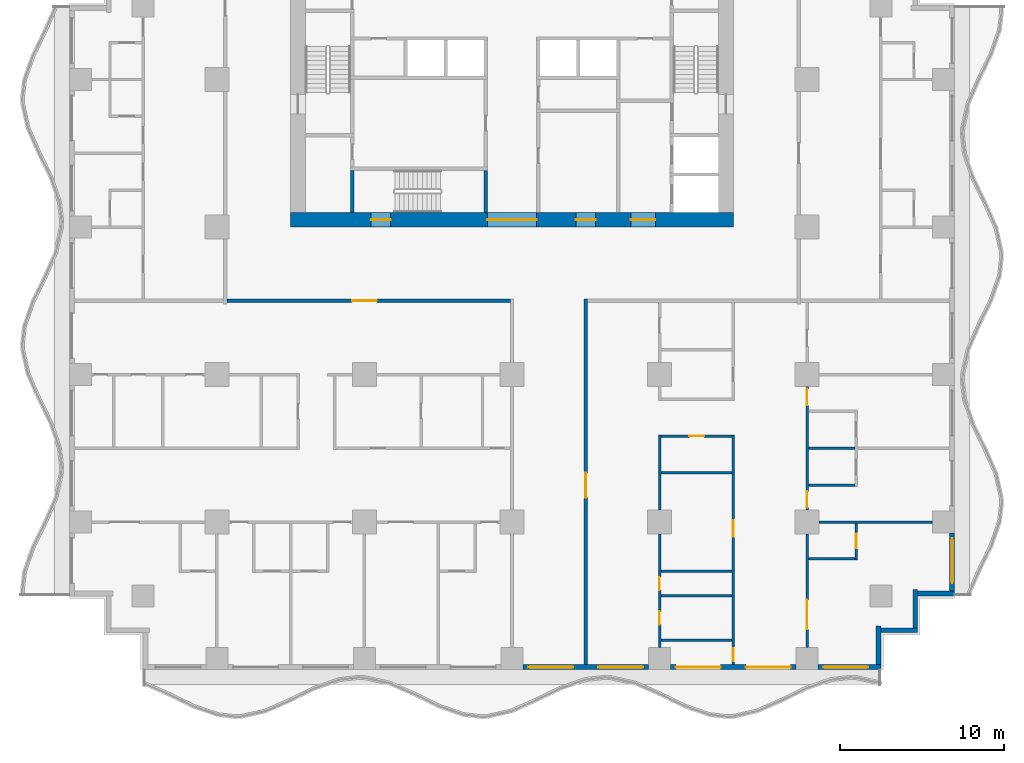
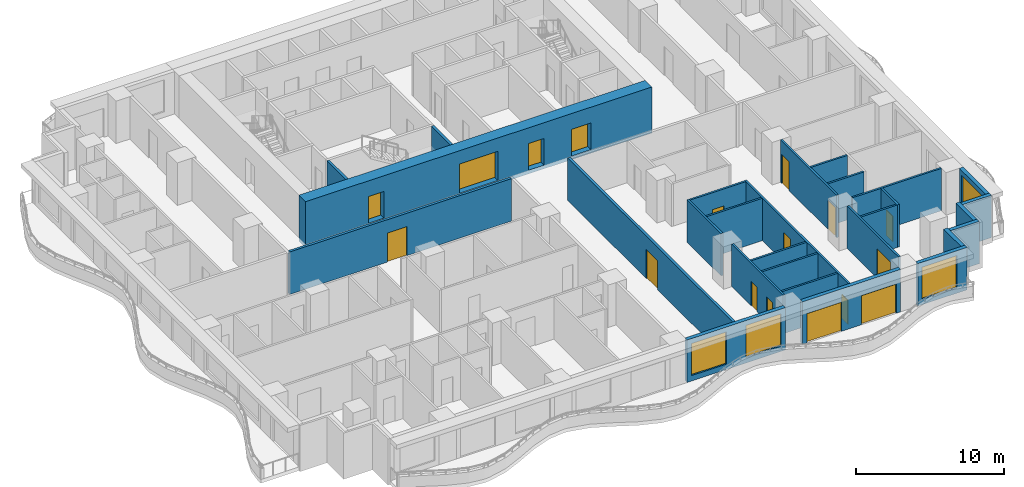
# One storey, part 3 of 14: 28 walls, 17 doors, 4 windows, 21 openings.
"""IFC4 building model written with IfcOpenShell, lengths in metres."""

from ifc_helpers import new_model, si_unit, direction, frame, frame_2d, origin, place, context, subcontext, project, spatial, rectangle, extrude, material, layer, layer_set, type_object, element, fill, save


model = new_model("IFC4")

# Units and contexts
model_context = context("Model", 3, precision=1e-05, world=origin(), true_north=direction((0.0, 1.0)))
body_context = subcontext(model_context, "Body", "Model", "MODEL_VIEW")
ifc_project = project(units=[si_unit("LENGTHUNIT", "METRE"), si_unit("AREAUNIT", "SQUARE_METRE"), si_unit("VOLUMEUNIT", "CUBIC_METRE"), si_unit("PLANEANGLEUNIT", "RADIAN"), si_unit("MASSUNIT", "GRAM", prefix="KILO")], contexts=[model_context])

# Site, building, storey
site_placement = place(None, origin())
site = spatial("IfcSite", under=ifc_project, at=site_placement, CompositionType="ELEMENT")
building_placement = place(site_placement, origin())
building = spatial("IfcBuilding", under=site, at=building_placement, Name="Orbiselva Terraces", CompositionType="ELEMENT")
storey_placement = place(building_placement, frame((0.0, 0.0, 73.2)))
storey = spatial("IfcBuildingStorey", under=building, at=storey_placement, Name="L18", CompositionType="ELEMENT", Elevation=73.2)

# Wall, openings, doors
ifc_material_1 = material(Name="Concrete C80/95", Category="concrete")
ifc_layer_1 = layer(ifc_material_1, 0.9)
ifc_layer_set_1 = layer_set([ifc_layer_1], Name="Concrete C80/95")
wall_type_1 = type_object("IfcWallType", Name="CORE WALL 900", PredefinedType="SHEAR", material=ifc_layer_set_1)
wall_1_placement = place(storey_placement, frame((-13.5, 4.95, -0.3), z_axis=(0.0, 0.0, 1.0), x_axis=(1.0, 0.0, 0.0)))
wall_1 = element("IfcWall", 1, at=wall_1_placement, inside=storey, type_object=wall_type_1, Name="Core wall L18 south", PredefinedType="SHEAR", context=body_context, shape_type="SweptSolid", body=[
    extrude(rectangle(XDim=27.0, YDim=0.9, at=frame_2d((13.5, 0.0))), origin(), (0.0, 0.0, 1.0), 3.8),
])
opening_1_placement = place(wall_1_placement, frame((12.0, 0.0, 0.3)))
opening_1 = element("IfcOpeningElement", 2, at=opening_1_placement, cuts=wall_1, Name="Opening DL3000", PredefinedType="OPENING", context=body_context, shape_type="SweptSolid", body=[
    extrude(rectangle(XDim=3.0, YDim=2.4, at=frame_2d((1.5, 1.2))), frame((0.0, 0.46, 0.0), z_axis=(0.0, -1.0, 0.0), x_axis=(1.0, 0.0, 0.0)), (0.0, 0.0, 1.0), 0.92),
])
opening_2_placement = place(wall_1_placement, frame((4.9, 0.0, 0.3)))
opening_2 = element("IfcOpeningElement", 3, at=opening_2_placement, cuts=wall_1, Name="Opening DS1200", PredefinedType="OPENING", context=body_context, shape_type="SweptSolid", body=[
    extrude(rectangle(XDim=1.2, YDim=2.2, at=frame_2d((0.6, 1.1))), frame((0.0, 0.46, 0.0), z_axis=(0.0, -1.0, 0.0), x_axis=(1.0, 0.0, 0.0)), (0.0, 0.0, 1.0), 0.92),
])
opening_3_placement = place(wall_1_placement, frame((20.75, 0.0, 0.3)))
opening_3 = element("IfcOpeningElement", 4, at=opening_3_placement, cuts=wall_1, Name="Opening DF1500", PredefinedType="OPENING", context=body_context, shape_type="SweptSolid", body=[
    extrude(rectangle(XDim=1.5, YDim=2.2, at=frame_2d((0.75, 1.1))), frame((0.0, 0.46, 0.0), z_axis=(0.0, -1.0, 0.0), x_axis=(1.0, 0.0, 0.0)), (0.0, 0.0, 1.0), 0.92),
])
opening_4_placement = place(wall_1_placement, frame((17.4, 0.0, 0.3)))
opening_4 = element("IfcOpeningElement", 5, at=opening_4_placement, cuts=wall_1, Name="Opening DV1200", PredefinedType="OPENING", context=body_context, shape_type="SweptSolid", body=[
    extrude(rectangle(XDim=1.2, YDim=2.2, at=frame_2d((0.6, 1.1))), frame((0.0, 0.46, 0.0), z_axis=(0.0, -1.0, 0.0), x_axis=(1.0, 0.0, 0.0)), (0.0, 0.0, 1.0), 0.92),
])
ifc_material_2 = material(Name="Steel fire door", Category="steel")
door_type_1 = type_object("IfcDoorType", Name="FFL DOOR 1500", OperationType="DOUBLE_DOOR_SINGLE_SWING", PredefinedType="DOOR", material=ifc_material_2)
door_1_placement = place(opening_3_placement, frame((1.5, 0.0, 0.0), z_axis=(0.0, 0.0, 1.0), x_axis=(-1.0, 0.0, 0.0)))
door_1 = element("IfcDoor", 6, at=door_1_placement, inside=storey, type_object=door_type_1, Name="L18 FIRE-FIGHTING LOBBY door", OperationType="DOUBLE_DOOR_SINGLE_SWING", OverallHeight=2.2, OverallWidth=1.5, PredefinedType="DOOR", context=body_context, shape_type="SweptSolid", body=[
    extrude(rectangle(XDim=1.5, YDim=2.2, at=frame_2d((0.75, 1.1))), frame((0.0, 0.025, 0.0), z_axis=(0.0, -1.0, 0.0), x_axis=(1.0, 0.0, 0.0)), (0.0, 0.0, 1.0), 0.05),
])
fill(opening_3, door_1)
door_type_2 = type_object("IfcDoorType", Name="LOBBY DOOR 3000", OperationType="DOUBLE_DOOR_SINGLE_SWING", PredefinedType="DOOR", material=ifc_material_2)
door_2_placement = place(opening_1_placement, frame((3.0, 0.0, 0.0), z_axis=(0.0, 0.0, 1.0), x_axis=(-1.0, 0.0, 0.0)))
door_2 = element("IfcDoor", 7, at=door_2_placement, inside=storey, type_object=door_type_2, Name="L18 LIFT LOBBY door", OperationType="DOUBLE_DOOR_SINGLE_SWING", OverallHeight=2.4, OverallWidth=3.0, PredefinedType="DOOR", context=body_context, shape_type="SweptSolid", body=[
    extrude(rectangle(XDim=3.0, YDim=2.4, at=frame_2d((1.5, 1.2))), frame((0.0, 0.025, 0.0), z_axis=(0.0, -1.0, 0.0), x_axis=(1.0, 0.0, 0.0)), (0.0, 0.0, 1.0), 0.05),
])
fill(opening_1, door_2)
door_type_3 = type_object("IfcDoorType", Name="SERVICE DOOR 1200", OperationType="NOTDEFINED", PredefinedType="DOOR", material=ifc_material_2)
door_3_placement = place(opening_4_placement, frame((1.2, 0.0, 0.0), z_axis=(0.0, 0.0, 1.0), x_axis=(-1.0, 0.0, 0.0)))
door_3 = element("IfcDoor", 8, at=door_3_placement, inside=storey, type_object=door_type_3, Name="L18 SERVICE ROOM door", OperationType="SINGLE_SWING_RIGHT", OverallHeight=2.2, OverallWidth=1.2, PredefinedType="DOOR", context=body_context, shape_type="SweptSolid", body=[
    extrude(rectangle(XDim=1.2, YDim=2.2, at=frame_2d((0.6, 1.1))), frame((0.0, 0.025, 0.0), z_axis=(0.0, -1.0, 0.0), x_axis=(1.0, 0.0, 0.0)), (0.0, 0.0, 1.0), 0.05),
])
fill(opening_4, door_3)
door_type_4 = type_object("IfcDoorType", Name="STAIR DOOR 1200", OperationType="NOTDEFINED", PredefinedType="DOOR", material=ifc_material_2)
door_4_placement = place(opening_2_placement, frame((1.2, 0.0, 0.0), z_axis=(0.0, 0.0, 1.0), x_axis=(-1.0, 0.0, 0.0)))
door_4 = element("IfcDoor", 9, at=door_4_placement, inside=storey, type_object=door_type_4, Name="L18 EXIT STAIR S3 door", OperationType="SINGLE_SWING_LEFT", OverallHeight=2.2, OverallWidth=1.2, PredefinedType="DOOR", context=body_context, shape_type="SweptSolid", body=[
    extrude(rectangle(XDim=1.2, YDim=2.2, at=frame_2d((0.6, 1.1))), frame((0.0, 0.025, 0.0), z_axis=(0.0, -1.0, 0.0), x_axis=(1.0, 0.0, 0.0)), (0.0, 0.0, 1.0), 0.05),
])
fill(opening_2, door_4)

# Walls
ifc_material_3 = material(Name="Concrete C60/75", Category="concrete")
ifc_layer_2 = layer(ifc_material_3, 0.2)
ifc_layer_set_2 = layer_set([ifc_layer_2], Name="Concrete C60/75")
wall_type_2 = type_object("IfcWallType", Name="CORE-WALL-SHEAR-200", PredefinedType="SHEAR", material=ifc_layer_set_2)
for number, where, z_axis, x_axis, name in (
    (10, (-9.75, 5.4, 0.0), (0.0, 0.0, 1.0), (0.0, 1.0, 0.0), "L18 core wall 03"),
    (11, (-1.6, 5.4, 0.0), (0.0, 0.0, 1.0), (0.0, 1.0, 0.0), "L18 core wall 19"),
):
    element("IfcWall", number, at=place(storey_placement, frame(where, z_axis=z_axis, x_axis=x_axis)), inside=storey, type_object=wall_type_2, Name=name, PredefinedType="SHEAR", context=body_context, shape_type="SweptSolid", body=[
        extrude(rectangle(XDim=2.55, YDim=0.2, at=frame_2d((1.275, 0.0))), origin(), (0.0, 0.0, 1.0), 3.5),
    ])

# Wall, openings, windows
ifc_material_4 = material(Name="Terracotta cladding on masonry backing", Category="masonry")
ifc_layer_3 = layer(ifc_material_4, 0.3)
ifc_layer_set_3 = layer_set([ifc_layer_3], Name="Terracotta cladding on masonry backing")
wall_type_3 = type_object("IfcWallType", Name="ENV-WALL-TERRACOTTA-300", PredefinedType="SOLIDWALL", material=ifc_layer_set_3)
wall_2_placement = place(storey_placement, frame((8.325, -22.35, 0.0), z_axis=(0.0, 0.0, 1.0), x_axis=(-1.0, 0.0, 0.0)))
wall_2 = element("IfcWall", 12, at=wall_2_placement, inside=storey, type_object=wall_type_3, Name="Facade wall L18 S", PredefinedType="SOLIDWALL", context=body_context, shape_type="SweptSolid", body=[
    extrude(rectangle(XDim=7.65, YDim=0.3, at=frame_2d((3.825, 0.0))), origin(), (0.0, 0.0, 1.0), 3.5),
])
opening_5_placement = place(wall_2_placement, frame((4.6, 0.0, 0.45)))
opening_5 = element("IfcOpeningElement", 13, at=opening_5_placement, cuts=wall_2, Name="Opening WN5", PredefinedType="OPENING", context=body_context, shape_type="SweptSolid", body=[
    extrude(rectangle(XDim=2.725, YDim=2.65, at=frame_2d((1.3625, 1.325))), frame((0.0, 0.16, 0.0), z_axis=(0.0, -1.0, 0.0), x_axis=(1.0, 0.0, 0.0)), (0.0, 0.0, 1.0), 0.32),
])
opening_6_placement = place(wall_2_placement, frame((0.325, 0.0, 0.45)))
opening_6 = element("IfcOpeningElement", 14, at=opening_6_placement, cuts=wall_2, Name="Opening WN5", PredefinedType="OPENING", context=body_context, shape_type="SweptSolid", body=[
    extrude(rectangle(XDim=2.725, YDim=2.65, at=frame_2d((1.3625, 1.325))), frame((0.0, 0.16, 0.0), z_axis=(0.0, -1.0, 0.0), x_axis=(1.0, 0.0, 0.0)), (0.0, 0.0, 1.0), 0.32),
])
ifc_material_5 = material(Name="Clear low-e glazing in aluminium frame", Category="aluminium")
window_type = type_object("IfcWindowType", Name="WINDOW 2725 X 2650 S450", PartitioningType="TRIPLE_PANEL_VERTICAL", PredefinedType="WINDOW", material=ifc_material_5)
window_1_placement = place(opening_5_placement, origin())
window_1 = element("IfcWindow", 15, at=window_1_placement, inside=storey, type_object=window_type, Name="Window L18 S", OverallHeight=2.65, OverallWidth=2.725, PartitioningType="SINGLE_PANEL", PredefinedType="WINDOW", context=body_context, shape_type="SweptSolid", body=[
    extrude(rectangle(XDim=2.725, YDim=2.65, at=frame_2d((1.3625, 1.325))), frame((0.0, 0.03, 0.0), z_axis=(0.0, -1.0, 0.0), x_axis=(1.0, 0.0, 0.0)), (0.0, 0.0, 1.0), 0.06),
])
fill(opening_5, window_1)
window_2_placement = place(opening_6_placement, origin())
window_2 = element("IfcWindow", 16, at=window_2_placement, inside=storey, type_object=window_type, Name="Window L18 S", OverallHeight=2.65, OverallWidth=2.725, PartitioningType="SINGLE_PANEL", PredefinedType="WINDOW", context=body_context, shape_type="SweptSolid", body=[
    extrude(rectangle(XDim=2.725, YDim=2.65, at=frame_2d((1.3625, 1.325))), frame((0.0, 0.03, 0.0), z_axis=(0.0, -1.0, 0.0), x_axis=(1.0, 0.0, 0.0)), (0.0, 0.0, 1.0), 0.06),
])
fill(opening_6, window_2)

# Wall, openings, doors
wall_3_placement = place(storey_placement, frame((17.325, -22.35, 0.0), z_axis=(0.0, 0.0, 1.0), x_axis=(-1.0, 0.0, 0.0)))
wall_3 = element("IfcWall", 17, at=wall_3_placement, inside=storey, type_object=wall_type_3, Name="Facade wall L18 S", PredefinedType="SOLIDWALL", context=body_context, shape_type="SweptSolid", body=[
    extrude(rectangle(XDim=7.65, YDim=0.3, at=frame_2d((3.825, 0.0))), origin(), (0.0, 0.0, 1.0), 3.5),
])
opening_7_placement = place(wall_3_placement, frame((4.6, 0.0, 0.0)))
opening_7 = element("IfcOpeningElement", 18, at=opening_7_placement, cuts=wall_3, Name="Opening Z2-A-E13", PredefinedType="OPENING", context=body_context, shape_type="SweptSolid", body=[
    extrude(rectangle(XDim=2.725, YDim=2.4, at=frame_2d((1.3625, 1.2))), frame((0.0, 0.16, 0.0), z_axis=(0.0, -1.0, 0.0), x_axis=(1.0, 0.0, 0.0)), (0.0, 0.0, 1.0), 0.32),
])
opening_8_placement = place(wall_3_placement, frame((0.325, 0.0, 0.0)))
opening_8 = element("IfcOpeningElement", 19, at=opening_8_placement, cuts=wall_3, Name="Opening Z2-A-E04", PredefinedType="OPENING", context=body_context, shape_type="SweptSolid", body=[
    extrude(rectangle(XDim=2.725, YDim=2.4, at=frame_2d((1.3625, 1.2))), frame((0.0, 0.16, 0.0), z_axis=(0.0, -1.0, 0.0), x_axis=(1.0, 0.0, 0.0)), (0.0, 0.0, 1.0), 0.32),
])
door_type_5 = type_object("IfcDoorType", Name="BALCONY DOOR 2725 X 2400", OperationType="DOUBLE_DOOR_SLIDING", PredefinedType="DOOR", material=ifc_material_5)
door_5_placement = place(opening_7_placement, origin())
door_5 = element("IfcDoor", 20, at=door_5_placement, inside=storey, type_object=door_type_5, Name="Z2-A-E13", OperationType="SINGLE_SWING_LEFT", OverallHeight=2.4, OverallWidth=2.725, PredefinedType="DOOR", context=body_context, shape_type="SweptSolid", body=[
    extrude(rectangle(XDim=2.725, YDim=2.4, at=frame_2d((1.3625, 1.2))), frame((0.0, 0.025, 0.0), z_axis=(0.0, -1.0, 0.0), x_axis=(1.0, 0.0, 0.0)), (0.0, 0.0, 1.0), 0.05),
])
fill(opening_7, door_5)
door_6_placement = place(opening_8_placement, origin())
door_6 = element("IfcDoor", 21, at=door_6_placement, inside=storey, type_object=door_type_5, Name="Z2-A-E04", OperationType="SINGLE_SWING_LEFT", OverallHeight=2.4, OverallWidth=2.725, PredefinedType="DOOR", context=body_context, shape_type="SweptSolid", body=[
    extrude(rectangle(XDim=2.725, YDim=2.4, at=frame_2d((1.3625, 1.2))), frame((0.0, 0.025, 0.0), z_axis=(0.0, -1.0, 0.0), x_axis=(1.0, 0.0, 0.0)), (0.0, 0.0, 1.0), 0.05),
])
fill(opening_8, door_6)

# Wall, opening, window
wall_4_placement = place(storey_placement, frame((22.5, -22.35, 0.0), z_axis=(0.0, 0.0, 1.0), x_axis=(-1.0, 0.0, 0.0)))
wall_4 = element("IfcWall", 22, at=wall_4_placement, inside=storey, type_object=wall_type_3, Name="Facade wall L18 S", PredefinedType="SOLIDWALL", context=body_context, shape_type="SweptSolid", body=[
    extrude(rectangle(XDim=3.825, YDim=0.3, at=frame_2d((1.9125, 0.0))), origin(), (0.0, 0.0, 1.0), 3.5),
])
opening_9_placement = place(wall_4_placement, frame((0.775, 0.0, 0.45)))
opening_9 = element("IfcOpeningElement", 23, at=opening_9_placement, cuts=wall_4, Name="Opening WN5", PredefinedType="OPENING", context=body_context, shape_type="SweptSolid", body=[
    extrude(rectangle(XDim=2.725, YDim=2.65, at=frame_2d((1.3625, 1.325))), frame((0.0, 0.16, 0.0), z_axis=(0.0, -1.0, 0.0), x_axis=(1.0, 0.0, 0.0)), (0.0, 0.0, 1.0), 0.32),
])
window_3_placement = place(opening_9_placement, origin())
window_3 = element("IfcWindow", 24, at=window_3_placement, inside=storey, type_object=window_type, Name="Window L18 S", OverallHeight=2.65, OverallWidth=2.725, PartitioningType="SINGLE_PANEL", PredefinedType="WINDOW", context=body_context, shape_type="SweptSolid", body=[
    extrude(rectangle(XDim=2.725, YDim=2.65, at=frame_2d((1.3625, 1.325))), frame((0.0, 0.03, 0.0), z_axis=(0.0, -1.0, 0.0), x_axis=(1.0, 0.0, 0.0)), (0.0, 0.0, 1.0), 0.06),
])
fill(opening_9, window_3)

# Walls
wall_5_placement = place(storey_placement, frame((22.35, -19.85, 0.0), z_axis=(0.0, 0.0, 1.0), x_axis=(0.0, -1.0, 0.0)))
element("IfcWall", 25, at=wall_5_placement, inside=storey, type_object=wall_type_3, Name="Facade wall L18 STEP", PredefinedType="SOLIDWALL", context=body_context, shape_type="SweptSolid", body=[
    extrude(rectangle(XDim=2.35, YDim=0.3, at=frame_2d((1.175, 0.0))), origin(), (0.0, 0.0, 1.0), 3.5),
])
wall_6_placement = place(storey_placement, frame((24.75, -20.1, 0.0), z_axis=(0.0, 0.0, 1.0), x_axis=(-1.0, 0.0, 0.0)))
element("IfcWall", 26, at=wall_6_placement, inside=storey, type_object=wall_type_3, Name="Facade wall L18 STEP", PredefinedType="SOLIDWALL", context=body_context, shape_type="SweptSolid", body=[
    extrude(rectangle(XDim=2.25, YDim=0.3, at=frame_2d((1.125, 0.0))), origin(), (0.0, 0.0, 1.0), 3.5),
])
wall_7_placement = place(storey_placement, frame((24.6, -17.6, 0.0), z_axis=(0.0, 0.0, 1.0), x_axis=(0.0, -1.0, 0.0)))
element("IfcWall", 27, at=wall_7_placement, inside=storey, type_object=wall_type_3, Name="Facade wall L18 STEP", PredefinedType="SOLIDWALL", context=body_context, shape_type="SweptSolid", body=[
    extrude(rectangle(XDim=2.35, YDim=0.3, at=frame_2d((1.175, 0.0))), origin(), (0.0, 0.0, 1.0), 3.5),
])
wall_8_placement = place(storey_placement, frame((27.0, -17.85, 0.0), z_axis=(0.0, 0.0, 1.0), x_axis=(-1.0, 0.0, 0.0)))
element("IfcWall", 28, at=wall_8_placement, inside=storey, type_object=wall_type_3, Name="Facade wall L18 STEP", PredefinedType="SOLIDWALL", context=body_context, shape_type="SweptSolid", body=[
    extrude(rectangle(XDim=2.25, YDim=0.3, at=frame_2d((1.125, 0.0))), origin(), (0.0, 0.0, 1.0), 3.5),
])

# Wall, opening, window
wall_9_placement = place(storey_placement, frame((26.85, -14.175, 0.0), z_axis=(0.0, 0.0, 1.0), x_axis=(0.0, -1.0, 0.0)))
wall_9 = element("IfcWall", 29, at=wall_9_placement, inside=storey, type_object=wall_type_3, Name="Facade wall L18 E", PredefinedType="SOLIDWALL", context=body_context, shape_type="SweptSolid", body=[
    extrude(rectangle(XDim=3.525, YDim=0.3, at=frame_2d((1.7625, 0.0))), origin(), (0.0, 0.0, 1.0), 3.5),
])
opening_10_placement = place(wall_9_placement, frame((0.325, 0.0, 0.45)))
opening_10 = element("IfcOpeningElement", 30, at=opening_10_placement, cuts=wall_9, Name="Opening WN5", PredefinedType="OPENING", context=body_context, shape_type="SweptSolid", body=[
    extrude(rectangle(XDim=2.725, YDim=2.65, at=frame_2d((1.3625, 1.325))), frame((0.0, 0.16, 0.0), z_axis=(0.0, -1.0, 0.0), x_axis=(1.0, 0.0, 0.0)), (0.0, 0.0, 1.0), 0.32),
])
window_4_placement = place(opening_10_placement, origin())
window_4 = element("IfcWindow", 31, at=window_4_placement, inside=storey, type_object=window_type, Name="Window L18 E", OverallHeight=2.65, OverallWidth=2.725, PartitioningType="SINGLE_PANEL", PredefinedType="WINDOW", context=body_context, shape_type="SweptSolid", body=[
    extrude(rectangle(XDim=2.725, YDim=2.65, at=frame_2d((1.3625, 1.325))), frame((0.0, 0.03, 0.0), z_axis=(0.0, -1.0, 0.0), x_axis=(1.0, 0.0, 0.0)), (0.0, 0.0, 1.0), 0.06),
])
fill(opening_10, window_4)

# Wall, opening, door
ifc_material_6 = material(Name="Plasterboard on steel stud partition", Category="steel")
ifc_layer_4 = layer(ifc_material_6, 0.2)
ifc_layer_set_4 = layer_set([ifc_layer_4], Name="Plasterboard on steel stud partition")
wall_type_4 = type_object("IfcWallType", Name="UNIT-ENTRANCE-WALL-200", PredefinedType="PARTITIONING", material=ifc_layer_set_4)
wall_10_placement = place(storey_placement, frame((-0.1, 0.0, 0.0), z_axis=(0.0, 0.0, 1.0), x_axis=(-1.0, 0.0, 0.0)))
wall_10 = element("IfcWall", 32, at=wall_10_placement, inside=storey, type_object=wall_type_4, Name="PARTITION L18-028", PredefinedType="PARTITIONING", context=body_context, shape_type="SweptSolid", body=[
    extrude(rectangle(XDim=17.3, YDim=0.2, at=frame_2d((8.65, 0.0))), origin(), (0.0, 0.0, 1.0), 3.5),
])
opening_11_placement = place(wall_10_placement, frame((8.15, 0.0, 0.0)))
opening_11 = element("IfcOpeningElement", 33, at=opening_11_placement, cuts=wall_10, Name="Opening Z2-A-15", PredefinedType="OPENING", context=body_context, shape_type="SweptSolid", body=[
    extrude(rectangle(XDim=1.5, YDim=2.4, at=frame_2d((0.75, 1.2))), frame((0.0, 0.11, 0.0), z_axis=(0.0, -1.0, 0.0), x_axis=(1.0, 0.0, 0.0)), (0.0, 0.0, 1.0), 0.22),
])
ifc_material_7 = material(Name="Painted timber door leaf", Category="wood")
door_type_6 = type_object("IfcDoorType", Name="ENTRANCE DOUBLE DOOR 1500", OperationType="NOTDEFINED", PredefinedType="DOOR", material=ifc_material_7)
door_7_placement = place(opening_11_placement, origin())
door_7 = element("IfcDoor", 34, at=door_7_placement, inside=storey, type_object=door_type_6, Name="Z2-A-15", OperationType="DOUBLE_DOOR_SINGLE_SWING", OverallHeight=2.4, OverallWidth=1.5, PredefinedType="DOOR", context=body_context, shape_type="SweptSolid", body=[
    extrude(rectangle(XDim=1.5, YDim=2.4, at=frame_2d((0.75, 1.2))), frame((0.0, 0.025, 0.0), z_axis=(0.0, -1.0, 0.0), x_axis=(1.0, 0.0, 0.0)), (0.0, 0.0, 1.0), 0.05),
])
fill(opening_11, door_7)

wall_11_placement = place(storey_placement, frame((4.5, 0.1, 0.0), z_axis=(0.0, 0.0, 1.0), x_axis=(0.0, -1.0, 0.0)))
wall_11 = element("IfcWall", 35, at=wall_11_placement, inside=storey, type_object=wall_type_4, Name="PARTITION L18-068", PredefinedType="PARTITIONING", context=body_context, shape_type="SweptSolid", body=[
    extrude(rectangle(XDim=22.3, YDim=0.2, at=frame_2d((11.15, 0.0))), origin(), (0.0, 0.0, 1.0), 3.5),
])
opening_12_placement = place(wall_11_placement, frame((10.6, 0.0, 0.0)))
opening_12 = element("IfcOpeningElement", 36, at=opening_12_placement, cuts=wall_11, Name="Opening Z2-A-32", PredefinedType="OPENING", context=body_context, shape_type="SweptSolid", body=[
    extrude(rectangle(XDim=1.5, YDim=2.4, at=frame_2d((0.75, 1.2))), frame((0.0, 0.11, 0.0), z_axis=(0.0, -1.0, 0.0), x_axis=(1.0, 0.0, 0.0)), (0.0, 0.0, 1.0), 0.22),
])
door_8_placement = place(opening_12_placement, origin())
door_8 = element("IfcDoor", 37, at=door_8_placement, inside=storey, type_object=door_type_6, Name="Z2-A-32", OperationType="DOUBLE_DOOR_SINGLE_SWING", OverallHeight=2.4, OverallWidth=1.5, PredefinedType="DOOR", context=body_context, shape_type="SweptSolid", body=[
    extrude(rectangle(XDim=1.5, YDim=2.4, at=frame_2d((0.75, 1.2))), frame((0.0, 0.025, 0.0), z_axis=(0.0, -1.0, 0.0), x_axis=(1.0, 0.0, 0.0)), (0.0, 0.0, 1.0), 0.05),
])
fill(opening_12, door_8)

# Walls
ifc_layer_5 = layer(ifc_material_6, 0.15)
ifc_layer_set_5 = layer_set([ifc_layer_5], Name="Plasterboard on steel stud partition")
wall_type_5 = type_object("IfcWallType", Name="UNIT-PARTITION-150", PredefinedType="PARTITIONING", material=ifc_layer_set_5)
for number, where, z_axis, x_axis, name in (
    (38, (9.075, -20.7, 0.0), (0.0, 0.0, 1.0), (1.0, 0.0, 0.0), "PARTITION L18-001"),
    (39, (9.075, -18.0, 0.0), (0.0, 0.0, 1.0), (1.0, 0.0, 0.0), "PARTITION L18-002"),
    (40, (9.075, -16.5, 0.0), (0.0, 0.0, 1.0), (1.0, 0.0, 0.0), "PARTITION L18-007"),
):
    element("IfcWall", number, at=place(storey_placement, frame(where, z_axis=z_axis, x_axis=x_axis)), inside=storey, type_object=wall_type_5, Name=name, PredefinedType="PARTITIONING", context=body_context, shape_type="SweptSolid", body=[
        extrude(rectangle(XDim=4.35, YDim=0.15, at=frame_2d((2.175, 0.0))), origin(), (0.0, 0.0, 1.0), 3.5),
    ])
wall_12_placement = place(storey_placement, frame((18.075, -15.75, 0.0), z_axis=(0.0, 0.0, 1.0), x_axis=(1.0, 0.0, 0.0)))
element("IfcWall", 41, at=wall_12_placement, inside=storey, type_object=wall_type_5, Name="PARTITION L18-008", PredefinedType="PARTITIONING", context=body_context, shape_type="SweptSolid", body=[
    extrude(rectangle(XDim=2.85, YDim=0.15, at=frame_2d((1.425, 0.0))), origin(), (0.0, 0.0, 1.0), 3.5),
])
wall_13_placement = place(storey_placement, frame((18.725, -13.5, 0.0), z_axis=(0.0, 0.0, 1.0), x_axis=(1.0, 0.0, 0.0)))
element("IfcWall", 42, at=wall_13_placement, inside=storey, type_object=wall_type_5, Name="PARTITION L18-012", PredefinedType="PARTITIONING", context=body_context, shape_type="SweptSolid", body=[
    extrude(rectangle(XDim=6.925, YDim=0.15, at=frame_2d((3.4625, 0.0))), origin(), (0.0, 0.0, 1.0), 3.5),
])
wall_14_placement = place(storey_placement, frame((18.075, -11.25, 0.0), z_axis=(0.0, 0.0, 1.0), x_axis=(1.0, 0.0, 0.0)))
element("IfcWall", 43, at=wall_14_placement, inside=storey, type_object=wall_type_5, Name="PARTITION L18-013", PredefinedType="PARTITIONING", context=body_context, shape_type="SweptSolid", body=[
    extrude(rectangle(XDim=2.85, YDim=0.15, at=frame_2d((1.425, 0.0))), origin(), (0.0, 0.0, 1.0), 3.5),
])
wall_15_placement = place(storey_placement, frame((9.075, -10.5, 0.0), z_axis=(0.0, 0.0, 1.0), x_axis=(1.0, 0.0, 0.0)))
element("IfcWall", 44, at=wall_15_placement, inside=storey, type_object=wall_type_5, Name="PARTITION L18-014", PredefinedType="PARTITIONING", context=body_context, shape_type="SweptSolid", body=[
    extrude(rectangle(XDim=4.35, YDim=0.15, at=frame_2d((2.175, 0.0))), origin(), (0.0, 0.0, 1.0), 3.5),
])
wall_16_placement = place(storey_placement, frame((18.075, -9.0, 0.0), z_axis=(0.0, 0.0, 1.0), x_axis=(1.0, 0.0, 0.0)))
element("IfcWall", 45, at=wall_16_placement, inside=storey, type_object=wall_type_5, Name="PARTITION L18-017", PredefinedType="PARTITIONING", context=body_context, shape_type="SweptSolid", body=[
    extrude(rectangle(XDim=2.85, YDim=0.15, at=frame_2d((1.425, 0.0))), origin(), (0.0, 0.0, 1.0), 3.5),
])

# Wall, opening, door
wall_17_placement = place(storey_placement, frame((13.425, -8.25, 0.0), z_axis=(0.0, 0.0, 1.0), x_axis=(-1.0, 0.0, 0.0)))
wall_17 = element("IfcWall", 46, at=wall_17_placement, inside=storey, type_object=wall_type_5, Name="PARTITION L18-019", PredefinedType="PARTITIONING", context=body_context, shape_type="SweptSolid", body=[
    extrude(rectangle(XDim=4.35, YDim=0.15, at=frame_2d((2.175, 0.0))), origin(), (0.0, 0.0, 1.0), 3.5),
])
opening_13_placement = place(wall_17_placement, frame((1.7, 0.0, 0.0)))
opening_13 = element("IfcOpeningElement", 47, at=opening_13_placement, cuts=wall_17, Name="Opening Z2-A-37", PredefinedType="OPENING", context=body_context, shape_type="SweptSolid", body=[
    extrude(rectangle(XDim=0.9, YDim=2.1, at=frame_2d((0.45, 1.05))), frame((0.0, 0.085, 0.0), z_axis=(0.0, -1.0, 0.0), x_axis=(1.0, 0.0, 0.0)), (0.0, 0.0, 1.0), 0.17),
])
door_type_7 = type_object("IfcDoorType", Name="BATH DOOR 900", OperationType="NOTDEFINED", PredefinedType="DOOR", material=ifc_material_7)
door_9_placement = place(opening_13_placement, origin())
door_9 = element("IfcDoor", 48, at=door_9_placement, inside=storey, type_object=door_type_7, Name="Z2-A-37", OperationType="SINGLE_SWING_LEFT", OverallHeight=2.1, OverallWidth=0.9, PredefinedType="DOOR", context=body_context, shape_type="SweptSolid", body=[
    extrude(rectangle(XDim=0.9, YDim=2.1, at=frame_2d((0.45, 1.05))), frame((0.0, 0.025, 0.0), z_axis=(0.0, -1.0, 0.0), x_axis=(1.0, 0.0, 0.0)), (0.0, 0.0, 1.0), 0.05),
])
fill(opening_13, door_9)

# Wall, openings, doors
wall_18_placement = place(storey_placement, frame((9.0, -14.225, 0.0), z_axis=(0.0, 0.0, 1.0), x_axis=(0.0, -1.0, 0.0)))
wall_18 = element("IfcWall", 49, at=wall_18_placement, inside=storey, type_object=wall_type_5, Name="PARTITION L18-069", PredefinedType="PARTITIONING", context=body_context, shape_type="SweptSolid", body=[
    extrude(rectangle(XDim=6.925, YDim=0.15, at=frame_2d((3.4625, 0.0))), origin(), (0.0, 0.0, 1.0), 3.5),
])
opening_14_placement = place(wall_18_placement, frame((4.725, 0.0, 0.0)))
opening_14 = element("IfcOpeningElement", 50, at=opening_14_placement, cuts=wall_18, Name="Opening Z2-A-34", PredefinedType="OPENING", context=body_context, shape_type="SweptSolid", body=[
    extrude(rectangle(XDim=0.8, YDim=2.0, at=frame_2d((0.4, 1.0))), frame((0.0, 0.085, 0.0), z_axis=(0.0, -1.0, 0.0), x_axis=(1.0, 0.0, 0.0)), (0.0, 0.0, 1.0), 0.17),
])
opening_15_placement = place(wall_18_placement, frame((2.625, 0.0, 0.0)))
opening_15 = element("IfcOpeningElement", 51, at=opening_15_placement, cuts=wall_18, Name="Opening Z2-A-35", PredefinedType="OPENING", context=body_context, shape_type="SweptSolid", body=[
    extrude(rectangle(XDim=0.8, YDim=2.0, at=frame_2d((0.4, 1.0))), frame((0.0, 0.085, 0.0), z_axis=(0.0, -1.0, 0.0), x_axis=(1.0, 0.0, 0.0)), (0.0, 0.0, 1.0), 0.17),
])
door_type_8 = type_object("IfcDoorType", Name="STORE DOOR 800", OperationType="NOTDEFINED", PredefinedType="DOOR", material=ifc_material_7)
door_10_placement = place(opening_14_placement, origin())
door_10 = element("IfcDoor", 52, at=door_10_placement, inside=storey, type_object=door_type_8, Name="Z2-A-34", OperationType="SINGLE_SWING_RIGHT", OverallHeight=2.0, OverallWidth=0.8, PredefinedType="DOOR", context=body_context, shape_type="SweptSolid", body=[
    extrude(rectangle(XDim=0.8, YDim=2.0, at=frame_2d((0.4, 1.0))), frame((0.0, 0.025, 0.0), z_axis=(0.0, -1.0, 0.0), x_axis=(1.0, 0.0, 0.0)), (0.0, 0.0, 1.0), 0.05),
])
fill(opening_14, door_10)
door_11_placement = place(opening_15_placement, origin())
door_11 = element("IfcDoor", 53, at=door_11_placement, inside=storey, type_object=door_type_8, Name="Z2-A-35", OperationType="SINGLE_SWING_LEFT", OverallHeight=2.0, OverallWidth=0.8, PredefinedType="DOOR", context=body_context, shape_type="SweptSolid", body=[
    extrude(rectangle(XDim=0.8, YDim=2.0, at=frame_2d((0.4, 1.0))), frame((0.0, 0.025, 0.0), z_axis=(0.0, -1.0, 0.0), x_axis=(1.0, 0.0, 0.0)), (0.0, 0.0, 1.0), 0.05),
])
fill(opening_15, door_11)

# Wall
wall_19_placement = place(storey_placement, frame((9.0, -12.775, 0.0), z_axis=(0.0, 0.0, 1.0), x_axis=(0.0, 1.0, 0.0)))
element("IfcWall", 54, at=wall_19_placement, inside=storey, type_object=wall_type_5, Name="PARTITION L18-070", PredefinedType="PARTITIONING", context=body_context, shape_type="SweptSolid", body=[
    extrude(rectangle(XDim=4.6, YDim=0.15, at=frame_2d((2.3, 0.0))), origin(), (0.0, 0.0, 1.0), 3.5),
])

# Wall, openings, doors
wall_20_placement = place(storey_placement, frame((13.5, -22.2, 0.0), z_axis=(0.0, 0.0, 1.0), x_axis=(0.0, 1.0, 0.0)))
wall_20 = element("IfcWall", 55, at=wall_20_placement, inside=storey, type_object=wall_type_5, Name="PARTITION L18-073", PredefinedType="PARTITIONING", context=body_context, shape_type="SweptSolid", body=[
    extrude(rectangle(XDim=14.025, YDim=0.15, at=frame_2d((7.0125, 0.0))), origin(), (0.0, 0.0, 1.0), 3.5),
])
opening_16_placement = place(wall_20_placement, frame((0.2, 0.0, 0.0)))
opening_16 = element("IfcOpeningElement", 56, at=opening_16_placement, cuts=wall_20, Name="Opening Z2-A-33", PredefinedType="OPENING", context=body_context, shape_type="SweptSolid", body=[
    extrude(rectangle(XDim=0.8, YDim=2.0, at=frame_2d((0.4, 1.0))), frame((0.0, 0.085, 0.0), z_axis=(0.0, -1.0, 0.0), x_axis=(1.0, 0.0, 0.0)), (0.0, 0.0, 1.0), 0.17),
])
opening_17_placement = place(wall_20_placement, frame((7.8, 0.0, 0.0)))
opening_17 = element("IfcOpeningElement", 57, at=opening_17_placement, cuts=wall_20, Name="Opening Z2-A-36", PredefinedType="OPENING", context=body_context, shape_type="SweptSolid", body=[
    extrude(rectangle(XDim=1.0, YDim=2.4, at=frame_2d((0.5, 1.2))), frame((0.0, 0.085, 0.0), z_axis=(0.0, -1.0, 0.0), x_axis=(1.0, 0.0, 0.0)), (0.0, 0.0, 1.0), 0.17),
])
door_type_9 = type_object("IfcDoorType", Name="ROOM DOOR 1000", OperationType="NOTDEFINED", PredefinedType="DOOR", material=ifc_material_7)
door_12_placement = place(opening_17_placement, origin())
door_12 = element("IfcDoor", 58, at=door_12_placement, inside=storey, type_object=door_type_9, Name="Z2-A-36", OperationType="SINGLE_SWING_RIGHT", OverallHeight=2.4, OverallWidth=1.0, PredefinedType="DOOR", context=body_context, shape_type="SweptSolid", body=[
    extrude(rectangle(XDim=1.0, YDim=2.4, at=frame_2d((0.5, 1.2))), frame((0.0, 0.025, 0.0), z_axis=(0.0, -1.0, 0.0), x_axis=(1.0, 0.0, 0.0)), (0.0, 0.0, 1.0), 0.05),
])
fill(opening_17, door_12)
door_13_placement = place(opening_16_placement, origin())
door_13 = element("IfcDoor", 59, at=door_13_placement, inside=storey, type_object=door_type_8, Name="Z2-A-33", OperationType="SINGLE_SWING_LEFT", OverallHeight=2.0, OverallWidth=0.8, PredefinedType="DOOR", context=body_context, shape_type="SweptSolid", body=[
    extrude(rectangle(XDim=0.8, YDim=2.0, at=frame_2d((0.4, 1.0))), frame((0.0, 0.025, 0.0), z_axis=(0.0, -1.0, 0.0), x_axis=(1.0, 0.0, 0.0)), (0.0, 0.0, 1.0), 0.05),
])
fill(opening_16, door_13)

# Wall, opening, door
wall_21_placement = place(storey_placement, frame((18.0, -14.225, 0.0), z_axis=(0.0, 0.0, 1.0), x_axis=(0.0, -1.0, 0.0)))
wall_21 = element("IfcWall", 60, at=wall_21_placement, inside=storey, type_object=wall_type_5, Name="PARTITION L18-078", PredefinedType="PARTITIONING", context=body_context, shape_type="SweptSolid", body=[
    extrude(rectangle(XDim=6.925, YDim=0.15, at=frame_2d((3.4625, 0.0))), origin(), (0.0, 0.0, 1.0), 3.5),
])
opening_18_placement = place(wall_21_placement, frame((4.025, 0.0, 0.0)))
opening_18 = element("IfcOpeningElement", 61, at=opening_18_placement, cuts=wall_21, Name="Opening Z2-A-40", PredefinedType="OPENING", context=body_context, shape_type="SweptSolid", body=[
    extrude(rectangle(XDim=1.8, YDim=2.4, at=frame_2d((0.9, 1.2))), frame((0.0, 0.085, 0.0), z_axis=(0.0, -1.0, 0.0), x_axis=(1.0, 0.0, 0.0)), (0.0, 0.0, 1.0), 0.17),
])
door_type_10 = type_object("IfcDoorType", Name="DOUBLE DOOR 1800", OperationType="NOTDEFINED", PredefinedType="DOOR", material=ifc_material_7)
door_14_placement = place(opening_18_placement, origin())
door_14 = element("IfcDoor", 62, at=door_14_placement, inside=storey, type_object=door_type_10, Name="Z2-A-40", OperationType="DOUBLE_DOOR_SINGLE_SWING", OverallHeight=2.4, OverallWidth=1.8, PredefinedType="DOOR", context=body_context, shape_type="SweptSolid", body=[
    extrude(rectangle(XDim=1.8, YDim=2.4, at=frame_2d((0.9, 1.2))), frame((0.0, 0.025, 0.0), z_axis=(0.0, -1.0, 0.0), x_axis=(1.0, 0.0, 0.0)), (0.0, 0.0, 1.0), 0.05),
])
fill(opening_18, door_14)

# Wall, openings, doors
wall_22_placement = place(storey_placement, frame((18.0, -5.225, 0.0), z_axis=(0.0, 0.0, 1.0), x_axis=(0.0, -1.0, 0.0)))
wall_22 = element("IfcWall", 63, at=wall_22_placement, inside=storey, type_object=wall_type_5, Name="PARTITION L18-079", PredefinedType="PARTITIONING", context=body_context, shape_type="SweptSolid", body=[
    extrude(rectangle(XDim=7.55, YDim=0.15, at=frame_2d((3.775, 0.0))), origin(), (0.0, 0.0, 1.0), 3.5),
])
opening_19_placement = place(wall_22_placement, frame((6.4, 0.0, 0.0)))
opening_19 = element("IfcOpeningElement", 64, at=opening_19_placement, cuts=wall_22, Name="Opening Z2-A-42", PredefinedType="OPENING", context=body_context, shape_type="SweptSolid", body=[
    extrude(rectangle(XDim=1.0, YDim=2.4, at=frame_2d((0.5, 1.2))), frame((0.0, 0.085, 0.0), z_axis=(0.0, -1.0, 0.0), x_axis=(1.0, 0.0, 0.0)), (0.0, 0.0, 1.0), 0.17),
])
opening_20_placement = place(wall_22_placement, frame((0.15, 0.0, 0.0)))
opening_20 = element("IfcOpeningElement", 65, at=opening_20_placement, cuts=wall_22, Name="Opening Z2-A-44", PredefinedType="OPENING", context=body_context, shape_type="SweptSolid", body=[
    extrude(rectangle(XDim=1.0, YDim=2.4, at=frame_2d((0.5, 1.2))), frame((0.0, 0.085, 0.0), z_axis=(0.0, -1.0, 0.0), x_axis=(1.0, 0.0, 0.0)), (0.0, 0.0, 1.0), 0.17),
])
door_15_placement = place(opening_19_placement, origin())
door_15 = element("IfcDoor", 66, at=door_15_placement, inside=storey, type_object=door_type_9, Name="Z2-A-42", OperationType="SINGLE_SWING_RIGHT", OverallHeight=2.4, OverallWidth=1.0, PredefinedType="DOOR", context=body_context, shape_type="SweptSolid", body=[
    extrude(rectangle(XDim=1.0, YDim=2.4, at=frame_2d((0.5, 1.2))), frame((0.0, 0.025, 0.0), z_axis=(0.0, -1.0, 0.0), x_axis=(1.0, 0.0, 0.0)), (0.0, 0.0, 1.0), 0.05),
])
fill(opening_19, door_15)
door_16_placement = place(opening_20_placement, origin())
door_16 = element("IfcDoor", 67, at=door_16_placement, inside=storey, type_object=door_type_9, Name="Z2-A-44", OperationType="SINGLE_SWING_LEFT", OverallHeight=2.4, OverallWidth=1.0, PredefinedType="DOOR", context=body_context, shape_type="SweptSolid", body=[
    extrude(rectangle(XDim=1.0, YDim=2.4, at=frame_2d((0.5, 1.2))), frame((0.0, 0.025, 0.0), z_axis=(0.0, -1.0, 0.0), x_axis=(1.0, 0.0, 0.0)), (0.0, 0.0, 1.0), 0.05),
])
fill(opening_20, door_16)

# Wall, opening, door
wall_23_placement = place(storey_placement, frame((21.0, -15.825, 0.0), z_axis=(0.0, 0.0, 1.0), x_axis=(0.0, 1.0, 0.0)))
wall_23 = element("IfcWall", 68, at=wall_23_placement, inside=storey, type_object=wall_type_5, Name="PARTITION L18-081", PredefinedType="PARTITIONING", context=body_context, shape_type="SweptSolid", body=[
    extrude(rectangle(XDim=2.25, YDim=0.15, at=frame_2d((1.125, 0.0))), origin(), (0.0, 0.0, 1.0), 3.5),
])
opening_21_placement = place(wall_23_placement, frame((0.725, 0.0, 0.0)))
opening_21 = element("IfcOpeningElement", 69, at=opening_21_placement, cuts=wall_23, Name="Opening Z2-A-41", PredefinedType="OPENING", context=body_context, shape_type="SweptSolid", body=[
    extrude(rectangle(XDim=0.9, YDim=2.1, at=frame_2d((0.45, 1.05))), frame((0.0, 0.085, 0.0), z_axis=(0.0, -1.0, 0.0), x_axis=(1.0, 0.0, 0.0)), (0.0, 0.0, 1.0), 0.17),
])
door_17_placement = place(opening_21_placement, origin())
door_17 = element("IfcDoor", 70, at=door_17_placement, inside=storey, type_object=door_type_7, Name="Z2-A-41", OperationType="SINGLE_SWING_RIGHT", OverallHeight=2.1, OverallWidth=0.9, PredefinedType="DOOR", context=body_context, shape_type="SweptSolid", body=[
    extrude(rectangle(XDim=0.9, YDim=2.1, at=frame_2d((0.45, 1.05))), frame((0.0, 0.025, 0.0), z_axis=(0.0, -1.0, 0.0), x_axis=(1.0, 0.0, 0.0)), (0.0, 0.0, 1.0), 0.05),
])
fill(opening_21, door_17)

save(model, "model.ifc")
